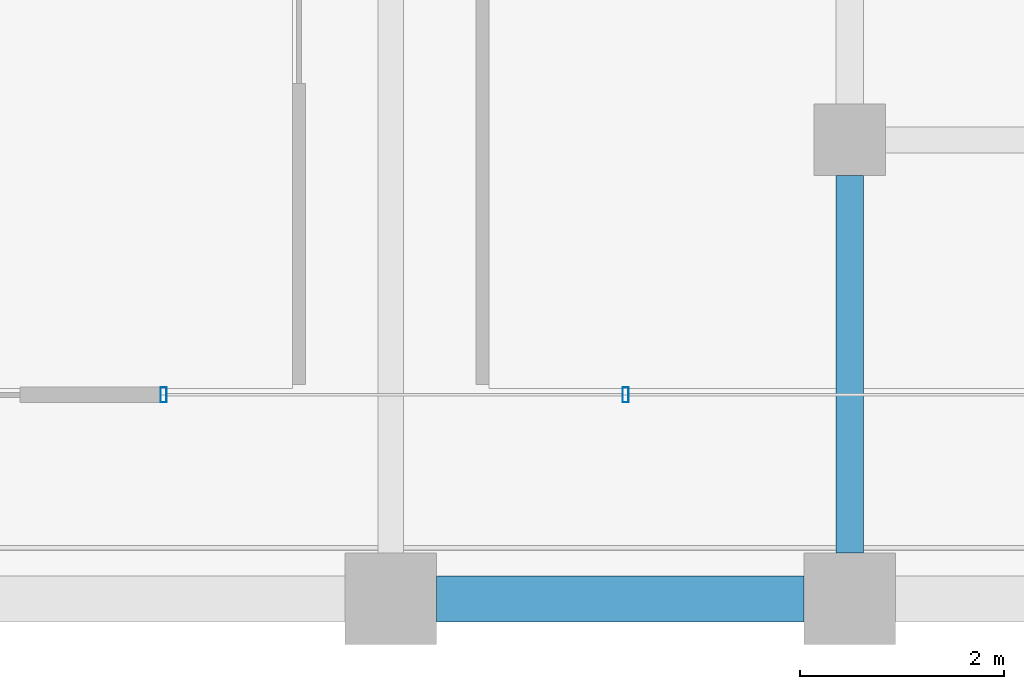
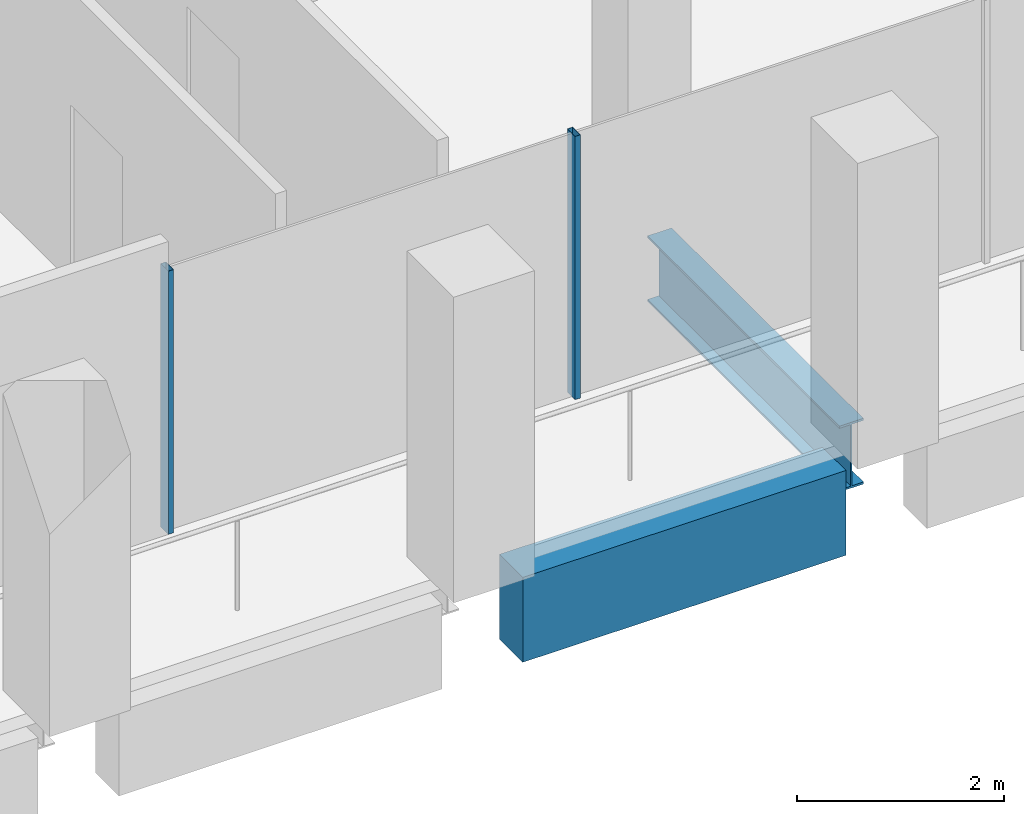
# One storey, part 9 of 40: 2 beams, 2 members, 1 element without a shape of its own.
"""IFC4 building model written with IfcOpenShell, lengths in metres."""

from ifc_helpers import new_model, si_unit, direction, frame, origin, origin_2d, place, context, subcontext, project, spatial, rectangle, hollow_rectangle, i_section, extrude, material, material_profile, profile_set, type_object, element, aggregate, save


model = new_model("IFC4")

# Units and contexts
model_context = context("Model", 3, precision=1e-05, world=origin(), true_north=direction((0.0, 1.0)))
body_context = subcontext(model_context, "Body", "Model", "MODEL_VIEW")
ifc_project = project(units=[si_unit("LENGTHUNIT", "METRE"), si_unit("AREAUNIT", "SQUARE_METRE"), si_unit("VOLUMEUNIT", "CUBIC_METRE"), si_unit("PLANEANGLEUNIT", "RADIAN"), si_unit("MASSUNIT", "GRAM", prefix="KILO")], contexts=[model_context])

# Site, building, storey
site_placement = place(None, origin())
site = spatial("IfcSite", under=ifc_project, at=site_placement, CompositionType="ELEMENT")
building_placement = place(site_placement, origin())
building = spatial("IfcBuilding", under=site, at=building_placement, Name="Altepetl Exchange Towers", CompositionType="ELEMENT")
storey_placement = place(building_placement, frame((0.0, 0.0, 151.0)))
storey = spatial("IfcBuildingStorey", under=building, at=storey_placement, Name="L37", CompositionType="ELEMENT", Elevation=151.0)

# Beam
ifc_material_1 = material(Name="Steel S355", Category="steel")
ifc_material_profile_1 = material_profile(ifc_material_1, i_section(OverallWidth=0.26806640625, OverallDepth=0.77392578125, WebThickness=0.015380859375, FlangeThickness=0.025390625, at=origin_2d()), Name="W30X132")
ifc_profile_set_1 = profile_set([ifc_material_profile_1], Name="Steel S355")
beam_type_1 = type_object("IfcBeamType", Name="Girder W30X132", PredefinedType="BEAM", material=ifc_profile_set_1)
beam_1_placement = place(storey_placement, frame((58.5, 31.14990234375, -0.537109375), z_axis=(0.0, -1.0, 0.0), x_axis=(1.0, 0.0, 0.0)))
element("IfcBeam", 1, at=beam_1_placement, inside=storey, type_object=beam_type_1, Name="gd:A:L37:005", PredefinedType="BEAM", context=body_context, shape_type="SweptSolid", body=[
    extrude(i_section(OverallWidth=0.26806640625, OverallDepth=0.77392578125, WebThickness=0.015380859375, FlangeThickness=0.025390625, at=origin_2d()), origin(), (0.0, 0.0, 1.0), 3.699951171875),
])

# Curtain wall, members
ifc_material_2 = material(Name="Aluminium 6063-T6 glazing", Category="aluminium")
curtain_wall_type = type_object("IfcCurtainWallType", Name="Loggia glazing system", PredefinedType="NOTDEFINED", material=ifc_material_2)
curtain_wall_placement = place(storey_placement, origin())
curtain_wall = element("IfcCurtainWall", 2, at=curtain_wall_placement, inside=storey, type_object=curtain_wall_type, Name="CW1 run", PredefinedType="NOTDEFINED")
ifc_material_3 = material(Name="Aluminium 6063-T6", Category="aluminium")
ifc_material_profile_2 = material_profile(ifc_material_3, hollow_rectangle(XDim=0.06005859375, YDim=0.14990234375, WallThickness=0.0029296875, at=origin_2d()), Name="Mullion 60x150 aluminium")
ifc_profile_set_2 = profile_set([ifc_material_profile_2], Name="Aluminium 6063-T6")
member_type = type_object("IfcMemberType", Name="Mullion 60x150 aluminium", PredefinedType="MULLION", material=ifc_profile_set_2)
member_1_placement = place(storey_placement, frame((51.77294921875, 29.0, 0.0)))
member_1 = element("IfcMember", 3, at=member_1_placement, type_object=member_type, Name="MU1 mullion", PredefinedType="MULLION", context=body_context, shape_type="SweptSolid", body=[
    extrude(hollow_rectangle(XDim=0.06005859375, YDim=0.14990234375, WallThickness=0.0029296875, at=origin_2d()), origin(), (0.0, 0.0, 1.0), 3.10009765625),
])
member_2_placement = place(storey_placement, frame((56.303466796875, 29.0, 0.0)))
member_2 = element("IfcMember", 4, at=member_2_placement, type_object=member_type, Name="MU1 mullion", PredefinedType="MULLION", context=body_context, shape_type="SweptSolid", body=[
    extrude(hollow_rectangle(XDim=0.06005859375, YDim=0.14990234375, WallThickness=0.0029296875, at=origin_2d()), origin(), (0.0, 0.0, 1.0), 3.10009765625),
])
aggregate(curtain_wall, [member_1, member_2])

# Beam
ifc_material_4 = material(Name="Concrete C50/60 precast with cantera blanca facing", Category="concrete")
ifc_material_profile_3 = material_profile(ifc_material_4, rectangle(XDim=0.449951171875, YDim=1.0, at=origin_2d()), Name="450 x 1000")
ifc_profile_set_3 = profile_set([ifc_material_profile_3], Name="Concrete C50/60 precast with cantera blanca facing")
beam_type_2 = type_object("IfcBeamType", Name="Spandrel beam 450x1000 cantera blanca", PredefinedType="SPANDREL", material=ifc_profile_set_3)
beam_2_placement = place(storey_placement, frame((54.449951171875, 27.0, -0.64990234375), z_axis=(1.0, 0.0, 0.0), x_axis=(0.0, 1.0, 0.0)))
element("IfcBeam", 5, at=beam_2_placement, inside=storey, type_object=beam_type_2, Name="sp:A:L37:005", PredefinedType="SPANDREL", context=body_context, shape_type="SweptSolid", body=[
    extrude(rectangle(XDim=0.449951171875, YDim=1.0, at=origin_2d()), origin(), (0.0, 0.0, 1.0), 3.60009765625),
])

save(model, "model.ifc")
